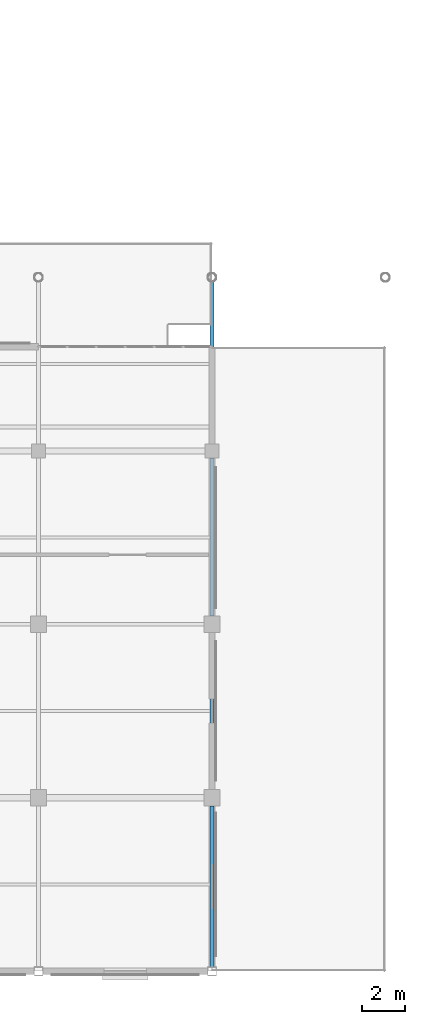
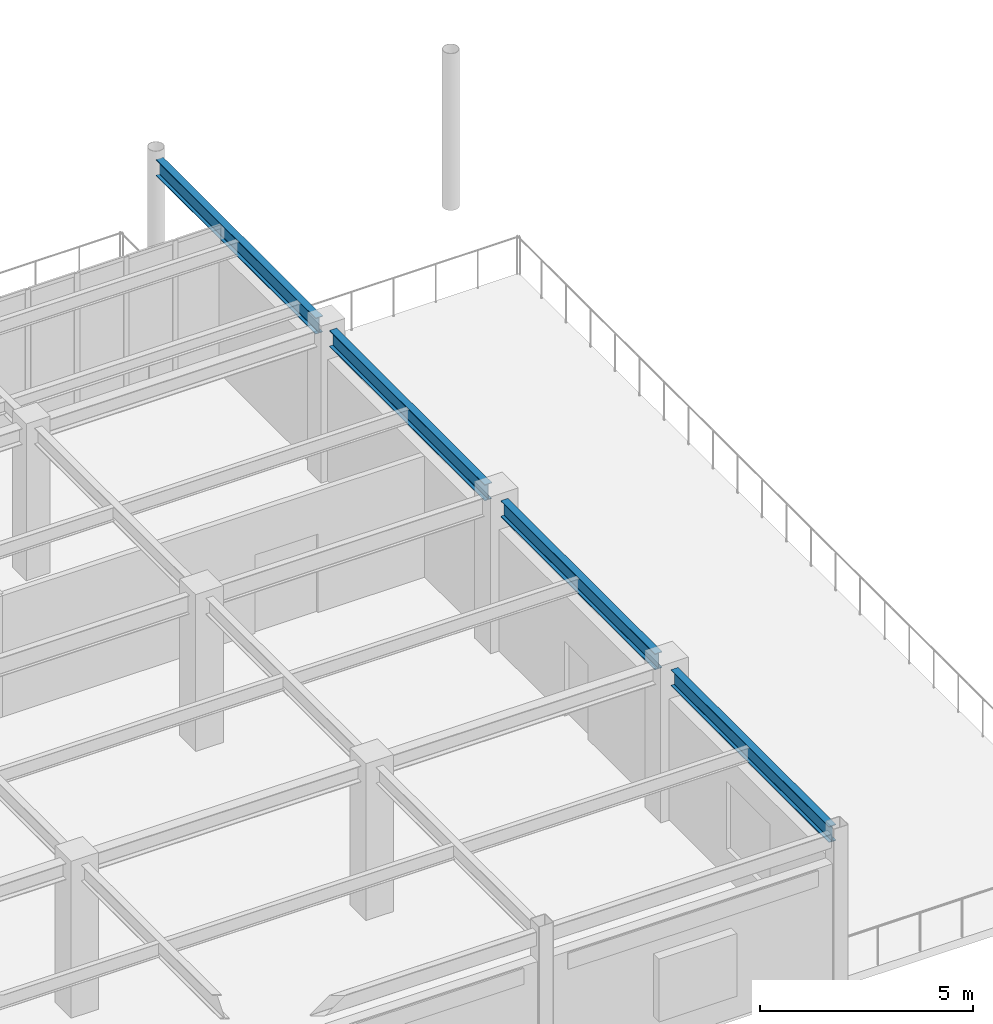
# One storey, part 28 of 75: 4 beams.
"""IFC4 building model written with IfcOpenShell, lengths in metres."""

from ifc_helpers import new_model, si_unit, direction, frame, origin, origin_2d, place, context, subcontext, project, spatial, i_section, extrude, material, material_profile, profile_set, type_object, element, save


model = new_model("IFC4")

# Units and contexts
model_context = context("Model", 3, precision=1e-05, world=origin(), true_north=direction((0.0, 1.0)))
body_context = subcontext(model_context, "Body", "Model", "MODEL_VIEW")
ifc_project = project(units=[si_unit("LENGTHUNIT", "METRE"), si_unit("AREAUNIT", "SQUARE_METRE"), si_unit("VOLUMEUNIT", "CUBIC_METRE"), si_unit("PLANEANGLEUNIT", "RADIAN"), si_unit("MASSUNIT", "GRAM", prefix="KILO")], contexts=[model_context])

# Site, building, storey
site_placement = place(None, origin())
site = spatial("IfcSite", under=ifc_project, at=site_placement, CompositionType="ELEMENT")
building_placement = place(site_placement, origin())
building = spatial("IfcBuilding", under=site, at=building_placement, Name="Solmirada Galleria", CompositionType="ELEMENT")
storey_placement = place(building_placement, frame((0.0, 0.0, 19.39990234375)))
storey = spatial("IfcBuildingStorey", under=building, at=storey_placement, Name="L04", CompositionType="ELEMENT", Elevation=19.39990234375)

# Beams
ifc_material = material(Name="Steel S355 / ASTM A992 Grade 50", Category="steel")
ifc_material_profile = material_profile(ifc_material, i_section(OverallWidth=0.193115234375, OverallDepth=0.466064453125, WebThickness=0.011474609375, FlangeThickness=0.01904296875, FilletRadius=0.013916015625, at=origin_2d()), Name="W18X65")
ifc_profile_set = profile_set([ifc_material_profile], Name="Steel S355 / ASTM A992 Grade 50")
beam_type = type_object("IfcBeamType", Name="BM-GIRD-W18C", PredefinedType="BEAM", material=ifc_profile_set)
beam_1_placement = place(storey_placement, frame((136.0, 0.202880859375, 4.067138671875), z_axis=(0.0, 1.0, 0.0), x_axis=(-1.0, 0.0, 0.0)))
element("IfcBeam", 1, at=beam_1_placement, inside=storey, type_object=beam_type, Name="Primary girder L05 Y(136, 0..8)", PredefinedType="BEAM", context=body_context, shape_type="SweptSolid", body=[
    extrude(i_section(OverallWidth=0.193115234375, OverallDepth=0.466064453125, WebThickness=0.011474609375, FlangeThickness=0.01904296875, FilletRadius=0.013916015625, at=origin_2d()), origin(), (0.0, 0.0, 1.0), 7.422119140625),
])
beam_2_placement = place(storey_placement, frame((136.0, 8.375, 4.067138671875), z_axis=(0.0, 1.0, 0.0), x_axis=(-1.0, 0.0, 0.0)))
element("IfcBeam", 2, at=beam_2_placement, inside=storey, type_object=beam_type, Name="Primary girder L05 Y(136, 8..16)", PredefinedType="BEAM", context=body_context, shape_type="SweptSolid", body=[
    extrude(i_section(OverallWidth=0.193115234375, OverallDepth=0.466064453125, WebThickness=0.011474609375, FlangeThickness=0.01904296875, FilletRadius=0.013916015625, at=origin_2d()), origin(), (0.0, 0.0, 1.0), 7.25),
])
beam_3_placement = place(storey_placement, frame((136.0, 16.375, 4.067138671875), z_axis=(0.0, 1.0, 0.0), x_axis=(-1.0, 0.0, 0.0)))
element("IfcBeam", 3, at=beam_3_placement, inside=storey, type_object=beam_type, Name="Primary girder L05 Y(136, 16..24)", PredefinedType="BEAM", context=body_context, shape_type="SweptSolid", body=[
    extrude(i_section(OverallWidth=0.193115234375, OverallDepth=0.466064453125, WebThickness=0.011474609375, FlangeThickness=0.01904296875, FilletRadius=0.013916015625, at=origin_2d()), origin(), (0.0, 0.0, 1.0), 7.300048828125),
])
beam_4_placement = place(storey_placement, frame((136.0, 24.324951171875, 4.027099609375), z_axis=(0.0, 1.0, 0.0), x_axis=(-1.0, 0.0, 0.0)))
element("IfcBeam", 4, at=beam_4_placement, inside=storey, type_object=beam_type, Name="Primary girder L05 Y(136, 24..32)", PredefinedType="BEAM", context=body_context, shape_type="SweptSolid", body=[
    extrude(i_section(OverallWidth=0.193115234375, OverallDepth=0.466064453125, WebThickness=0.011474609375, FlangeThickness=0.01904296875, FilletRadius=0.013916015625, at=origin_2d()), origin(), (0.0, 0.0, 1.0), 7.504638671875),
])

save(model, "model.ifc")
